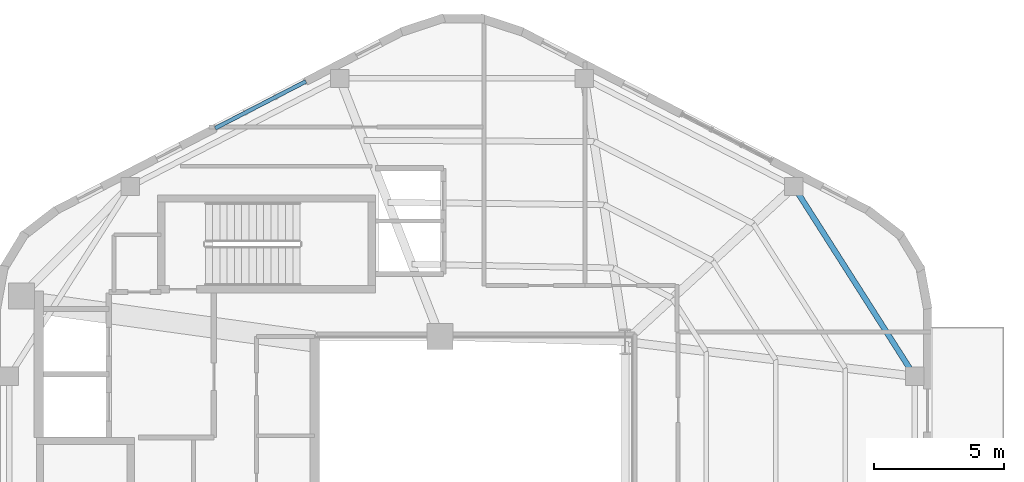
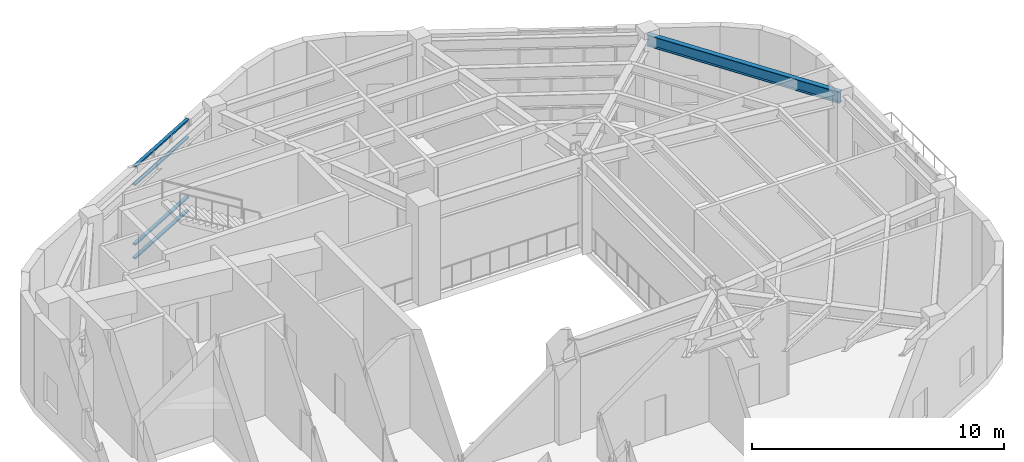
# One storey, part 11 of 19: 4 members, 1 beam, 1 element without a shape of its own.
"""IFC4 building model written with IfcOpenShell, lengths in metres."""

import ifcopenshell
import ifcopenshell.guid

model = None  # the IFC model being written
_history = None  # IfcOwnerHistory: only IFC2X3 demands one
_inside = {}  # id of a spatial element -> (the spatial element, [elements in it])
_under = {}  # id of a project, library or spatial element -> (it, [spatial elements below it])
_declared = {}  # id of a project -> (the project, [libraries it declares])
_typed = {}  # id of a type object -> (the type object, [elements of that type])
_made_of = {}  # id of a material, layer set ... -> (it, [elements and type objects made of it])


def new_model(schema):
    """Start an empty IFC model of exactly this schema.

    Asked for "IFC4X3", IfcOpenShell would pick the latest addendum, in which some entities
    have other attributes; the version numbers below select the first issue.
    IFC2X3 requires an IfcOwnerHistory on every rooted entity: one is made here for all.
    """
    global model, _history
    if schema == "IFC4X3":
        model = ifcopenshell.file(schema_version=(4, 3, 0, 0))
    else:
        model = ifcopenshell.file(schema=schema)
    _inside.clear()
    _under.clear()
    _declared.clear()
    _typed.clear()
    _made_of.clear()
    _history = None
    if model.schema == "IFC2X3":
        org = make("IfcOrganization", Name="unknown")
        user = make(
            "IfcPersonAndOrganization",
            ThePerson=make("IfcPerson", FamilyName="unknown"),
            TheOrganization=org,
        )
        app = make(
            "IfcApplication",
            ApplicationDeveloper=org,
            Version="unknown",
            ApplicationFullName="unknown",
            ApplicationIdentifier="unknown",
        )
        _history = make(
            "IfcOwnerHistory",
            OwningUser=user,
            OwningApplication=app,
            ChangeAction="ADDED",
            CreationDate=0,
        )
    return model


def make(cls, **values):
    """One entity of the class cls with the attributes given. An attribute that is None is left unset."""
    return model.create_entity(
        cls, **{name: value for name, value in values.items() if value is not None}
    )


def rooted(cls, **values):
    """An entity with a GlobalId (a new one), such as an element, a storey or a relation."""
    return make(cls, GlobalId=ifcopenshell.guid.new(), OwnerHistory=_history, **values)


def si_unit(unit_type, name, prefix=None):
    """IfcSIUnit, for example si_unit("LENGTHUNIT", "METRE", prefix="MILLI")."""
    return make("IfcSIUnit", UnitType=unit_type, Prefix=prefix, Name=name)


def assignment(units):
    """IfcUnitAssignment: the units of a project."""
    return None if units is None else make("IfcUnitAssignment", Units=units)


def point(xyz):
    """IfcCartesianPoint."""
    return None if xyz is None else make("IfcCartesianPoint", Coordinates=xyz)


def direction(xyz):
    """IfcDirection."""
    return None if xyz is None else make("IfcDirection", DirectionRatios=xyz)


def frame(location, z_axis=None, x_axis=None):
    """IfcAxis2Placement3D, a coordinate frame: its origin and axes. An axis left out is left unset."""
    return make(
        "IfcAxis2Placement3D",
        Location=point(location),
        Axis=direction(z_axis),
        RefDirection=direction(x_axis),
    )


def frame_2d(location, x_axis=None):
    """IfcAxis2Placement2D, a coordinate frame in the plane: its origin and x axis."""
    return make(
        "IfcAxis2Placement2D", Location=point(location), RefDirection=direction(x_axis)
    )


def origin():
    """The frame at (0, 0, 0) with its axes left unset."""
    return frame((0.0, 0.0, 0.0))


def origin_2d():
    """The frame at (0, 0) in the plane with its x axis left unset."""
    return frame_2d((0.0, 0.0))


def place(relative_to, where):
    """IfcLocalPlacement: puts the frame where relative to a parent placement (None: the world)."""
    return make(
        "IfcLocalPlacement", PlacementRelTo=relative_to, RelativePlacement=where
    )


def context(
    kind, dimensions, precision=None, world=None, true_north=None, identifier=None
):
    """IfcGeometricRepresentationContext, for example the 3D "Model" context."""
    return make(
        "IfcGeometricRepresentationContext",
        ContextIdentifier=identifier,
        ContextType=kind,
        CoordinateSpaceDimension=dimensions,
        Precision=precision,
        WorldCoordinateSystem=world,
        TrueNorth=true_north,
    )


def subcontext(parent, identifier, kind, view, scale=None):
    """IfcGeometricRepresentationSubContext, for example "Body" below "Model"."""
    return make(
        "IfcGeometricRepresentationSubContext",
        ContextIdentifier=identifier,
        ContextType=kind,
        ParentContext=parent,
        TargetScale=scale,
        TargetView=view,
    )


def project(units=None, contexts=None):
    """IfcProject with its units and contexts."""
    return rooted(
        "IfcProject",
        Name="project",
        RepresentationContexts=contexts,
        UnitsInContext=assignment(units),
    )


def spatial(cls, under=None, at=None, **own):
    """A site, building, storey or space (cls), placed at a placement, below another one or the project."""
    s = rooted(cls, ObjectPlacement=at, **own)
    if under is not None:
        _under.setdefault(under.id(), (under, []))[1].append(s)
    return s


def profile(cls, at=None, kind="AREA", **sizes):
    """A parametric profile (cls). Its sizes go by their IFC names, for example OverallWidth=200.0."""
    return make(cls, ProfileType=kind, Position=at, **sizes)


def hollow_rectangle(**sizes):
    """IfcRectangleHollowProfileDef."""
    return profile("IfcRectangleHollowProfileDef", **sizes)


def i_section(**sizes):
    """IfcIShapeProfileDef."""
    return profile("IfcIShapeProfileDef", **sizes)


def extrude(swept, where, along, depth):
    """IfcExtrudedAreaSolid: the profile swept, set in the frame where, extruded along a direction by depth."""
    return make(
        "IfcExtrudedAreaSolid",
        SweptArea=swept,
        Position=where,
        ExtrudedDirection=direction(along),
        Depth=depth,
    )


def shape(context_of_items, identifier, shape_type, items):
    """IfcShapeRepresentation: the items that make up one representation, for example the "Body"."""
    return make(
        "IfcShapeRepresentation",
        ContextOfItems=context_of_items,
        RepresentationIdentifier=identifier,
        RepresentationType=shape_type,
        Items=items,
    )


def material(Name=None, Category=None):
    """IfcMaterial."""
    return make("IfcMaterial", Name=Name, Category=Category)


def layer(
    of_material, thickness, ventilated=None, Name=None, Category=None, Priority=None
):
    """IfcMaterialLayer: one layer of a wall or slab, of a material (None: an air gap)."""
    return make(
        "IfcMaterialLayer",
        Material=of_material,
        LayerThickness=thickness,
        IsVentilated=ventilated,
        Name=Name,
        Category=Category,
        Priority=Priority,
    )


def layer_set(layers, Name=None):
    """IfcMaterialLayerSet."""
    return make("IfcMaterialLayerSet", MaterialLayers=layers, LayerSetName=Name)


def material_profile(
    of_material, cross_section, Name=None, Category=None, Priority=None
):
    """IfcMaterialProfile: a cross section and its material."""
    return make(
        "IfcMaterialProfile",
        Name=Name,
        Material=of_material,
        Profile=cross_section,
        Priority=Priority,
        Category=Category,
    )


def profile_set(profiles, Name=None, composite=None):
    """IfcMaterialProfileSet."""
    return make(
        "IfcMaterialProfileSet",
        Name=Name,
        MaterialProfiles=profiles,
        CompositeProfile=composite,
    )


def made_of(thing, what):
    """Note that an element or type object is made of a material, layer set ...; save() writes the relation."""
    if what is not None:
        _made_of.setdefault(what.id(), (what, []))[1].append(thing)
    return thing


def type_object(cls, material=None, **own):
    """A type object (cls), such as IfcWallType, which elements share."""
    return made_of(rooted(cls, **own), material)


def element(
    cls,
    number,
    at=None,
    inside=None,
    cuts=None,
    type_object=None,
    material=None,
    context=None,
    identifier="Body",
    shape_type=None,
    held_by="IfcProductDefinitionShape",
    body=None,
    shapes=None,
    **own,
):
    """One element of the class cls, such as IfcWall. Its Tag is "e" and its number.

    at: its placement. inside: the storey or other place that contains it. cuts: it is an
    opening in that element (IfcRelVoidsElement). A single representation is given by context,
    identifier, shape_type and body (its items); several are given by shapes. held_by: the class
    of the entity that holds the representations. save() writes the other relations.
    """
    e = rooted(cls, Tag="e%d" % number, ObjectPlacement=at, **own)
    if body is not None:
        shapes = [shape(context, identifier, shape_type, body)]
    if shapes is not None:
        e.Representation = make(held_by, Representations=shapes)
    if inside is not None:
        _inside.setdefault(inside.id(), (inside, []))[1].append(e)
    if cuts is not None:
        rooted(
            "IfcRelVoidsElement", RelatingBuildingElement=cuts, RelatedOpeningElement=e
        )
    if type_object is not None:
        _typed.setdefault(type_object.id(), (type_object, []))[1].append(e)
    return made_of(e, material)


def aggregate(whole, parts):
    """IfcRelAggregates: a whole, such as a stair, and the parts it consists of."""
    return rooted("IfcRelAggregates", RelatingObject=whole, RelatedObjects=parts)


def save(model, path):
    """Write the relations noted so far, then the file.

    IfcRelAggregates (storeys below a building ...), IfcRelContainedInSpatialStructure (elements
    in a storey), IfcRelDefinesByType, IfcRelAssociatesMaterial and IfcRelDeclares: one each for
    every whole, place, type object, material and project.
    """
    for whole, parts in _under.values():
        aggregate(whole, parts)
    for where, things in _inside.values():
        rooted(
            "IfcRelContainedInSpatialStructure",
            RelatedElements=things,
            RelatingStructure=where,
        )
    for kind, things in _typed.values():
        rooted("IfcRelDefinesByType", RelatedObjects=things, RelatingType=kind)
    for what, things in _made_of.values():
        rooted("IfcRelAssociatesMaterial", RelatedObjects=things, RelatingMaterial=what)
    for by, libraries in _declared.values():
        rooted("IfcRelDeclares", RelatingContext=by, RelatedDefinitions=libraries)
    model.write(path)


model = new_model("IFC4")

# Units and contexts
model_context = context("Model", 3, precision=1e-05, world=origin(), true_north=direction((0.0, 1.0)))
body_context = subcontext(model_context, "Body", "Model", "MODEL_VIEW")
ifc_project = project(units=[si_unit("LENGTHUNIT", "METRE"), si_unit("AREAUNIT", "SQUARE_METRE"), si_unit("VOLUMEUNIT", "CUBIC_METRE"), si_unit("PLANEANGLEUNIT", "RADIAN"), si_unit("MASSUNIT", "GRAM", prefix="KILO"), si_unit("THERMODYNAMICTEMPERATUREUNIT", "KELVIN"), si_unit("POWERUNIT", "WATT")], contexts=[model_context])

# Site, building, storey
site_placement = place(None, origin())
site = spatial("IfcSite", under=ifc_project, at=site_placement, CompositionType="ELEMENT")
building_placement = place(site_placement, origin())
building = spatial("IfcBuilding", under=site, at=building_placement, Name="Skarre Station Tower", CompositionType="ELEMENT")
storey_placement = place(building_placement, frame((0.0, 0.0, 275.10009765625)))
storey = spatial("IfcBuildingStorey", under=building, at=storey_placement, Name="L75", CompositionType="ELEMENT", Elevation=275.10009765625)

# Curtain wall, members
ifc_material_1 = material(Name="Thermally Broken Bronze-Anodized Aluminium & Triple Low-E Glass", Category="aluminium")
ifc_layer = layer(ifc_material_1, 0.219970703125, Name="Thermally Broken Bronze-Anodized Aluminium & Triple Low-E Glass")
ifc_layer_set = layer_set([ifc_layer], Name="Thermally Broken Bronze-Anodized Aluminium & Triple Low-E Glass")
curtain_wall_type = type_object("IfcCurtainWallType", Name="Observation Deck Panorama Unitised Curtain Wall", PredefinedType="NOTDEFINED", material=ifc_layer_set)
curtain_wall_placement = place(storey_placement, origin())
curtain_wall = element("IfcCurtainWall", 1, at=curtain_wall_placement, inside=storey, type_object=curtain_wall_type, Name="L75 Facet 1 Observatory Curtain Wall", PredefinedType="NOTDEFINED")
ifc_material_2 = material(Name="Anodized Aluminium 6063-T6", Category="aluminium")
ifc_material_profile_1 = material_profile(ifc_material_2, hollow_rectangle(XDim=0.074951171875, YDim=0.14990234375, WallThickness=0.00390625, at=origin_2d()), Name="Anodized Aluminium 6063-T6")
ifc_profile_set_1 = profile_set([ifc_material_profile_1], Name="Anodized Aluminium 6063-T6")
member_type = type_object("IfcMemberType", Name="Curtain-Wall Secondary Transom 150x75", PredefinedType="USERDEFINED", material=ifc_profile_set_1)
member_1_placement = place(storey_placement, frame((23.72900390625, 37.534912109375, 0.039794921875), z_axis=(0.888470771822, 0.458933206053, 0.0), x_axis=(0.0, 0.0, 1.0)))
member_1 = element("IfcMember", 2, at=member_1_placement, type_object=member_type, Name="L75 Facet 1 Observatory Curtain Wall Transom 1", ObjectType="TRANSOM", PredefinedType="USERDEFINED", context=body_context, shape_type="SweptSolid", body=[
    extrude(hollow_rectangle(XDim=0.074951171875, YDim=0.14990234375, WallThickness=0.00390625, at=origin_2d()), origin(), (0.0, 0.0, 1.0), 3.920166015625),
])
member_2_placement = place(storey_placement, frame((23.72900390625, 37.534912109375, 0.699951171875), z_axis=(0.888470771822, 0.458933206053, 0.0), x_axis=(0.0, 0.0, 1.0)))
member_2 = element("IfcMember", 3, at=member_2_placement, type_object=member_type, Name="L75 Facet 1 Observatory Curtain Wall Transom 2", ObjectType="TRANSOM", PredefinedType="USERDEFINED", context=body_context, shape_type="SweptSolid", body=[
    extrude(hollow_rectangle(XDim=0.074951171875, YDim=0.14990234375, WallThickness=0.00390625, at=origin_2d()), origin(), (0.0, 0.0, 1.0), 3.920166015625),
])
member_3_placement = place(storey_placement, frame((23.72900390625, 37.534912109375, 3.58984375), z_axis=(0.888470771822, 0.458933206053, 0.0), x_axis=(0.0, 0.0, 1.0)))
member_3 = element("IfcMember", 4, at=member_3_placement, type_object=member_type, Name="L75 Facet 1 Observatory Curtain Wall Transom 3", ObjectType="TRANSOM", PredefinedType="USERDEFINED", context=body_context, shape_type="SweptSolid", body=[
    extrude(hollow_rectangle(XDim=0.074951171875, YDim=0.14990234375, WallThickness=0.00390625, at=origin_2d()), origin(), (0.0, 0.0, 1.0), 3.920166015625),
])
member_4_placement = place(storey_placement, frame((23.72900390625, 37.534912109375, 4.449951171875), z_axis=(0.888470771822, 0.458933206053, 0.0), x_axis=(0.0, 0.0, 1.0)))
member_4 = element("IfcMember", 5, at=member_4_placement, type_object=member_type, Name="L75 Facet 1 Observatory Curtain Wall Transom 4", ObjectType="TRANSOM", PredefinedType="USERDEFINED", context=body_context, shape_type="SweptSolid", body=[
    extrude(hollow_rectangle(XDim=0.074951171875, YDim=0.14990234375, WallThickness=0.00390625, at=origin_2d()), origin(), (0.0, 0.0, 1.0), 3.920166015625),
])
aggregate(curtain_wall, [member_1, member_2, member_3, member_4])

# Beam
ifc_material_3 = material(Name="Steel ASTM A992 Grade 50", Category="steel")
ifc_material_profile_2 = material_profile(ifc_material_3, i_section(OverallWidth=0.214111328125, OverallDepth=0.549072265625, WebThickness=0.014892578125, FlangeThickness=0.02392578125, at=origin_2d()), Name="Steel ASTM A992 Grade 50")
ifc_profile_set_2 = profile_set([ifc_material_profile_2], Name="Steel ASTM A992 Grade 50")
beam_type = type_object("IfcBeamType", Name="Steel Spandrel W21X93", PredefinedType="SPANDREL", material=ifc_profile_set_2)
beam_placement = place(storey_placement, frame((50.56298828125, 28.02099609375, 4.21484375), z_axis=(-0.537296523663, 0.843393410965, 0.0), x_axis=(-0.843393410965, -0.537296523663, 0.0)))
element("IfcBeam", 6, at=beam_placement, inside=storey, type_object=beam_type, Name="L75 Facet Spandrel Beam 12", PredefinedType="SPANDREL", context=body_context, shape_type="SweptSolid", body=[
    extrude(i_section(OverallWidth=0.214111328125, OverallDepth=0.549072265625, WebThickness=0.014892578125, FlangeThickness=0.02392578125, at=origin_2d()), origin(), (0.0, 0.0, 1.0), 8.62841796875),
])

save(model, "model.ifc")
